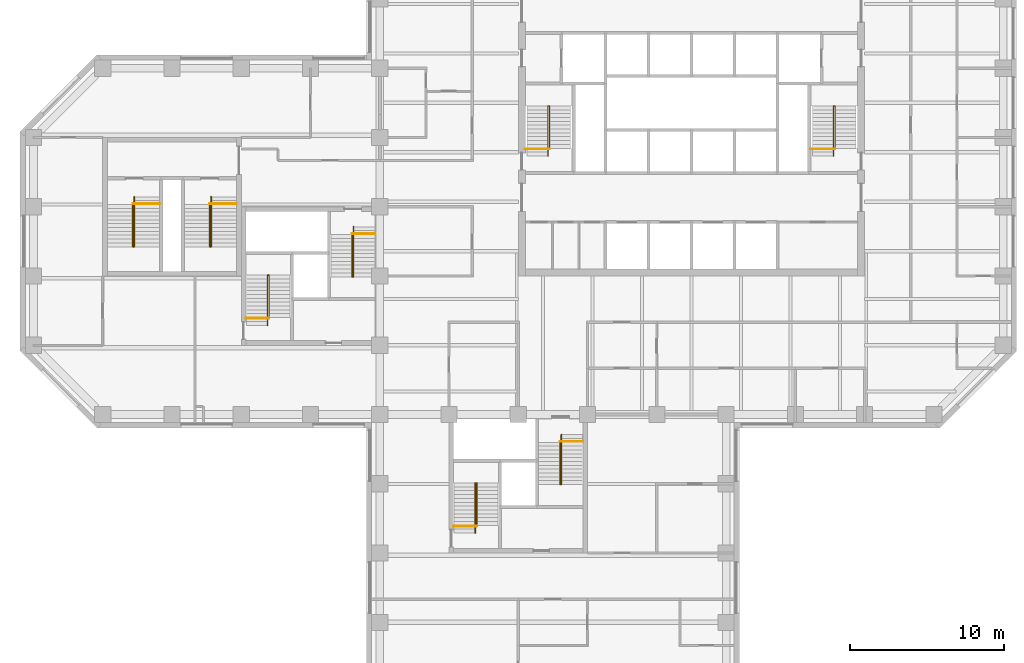
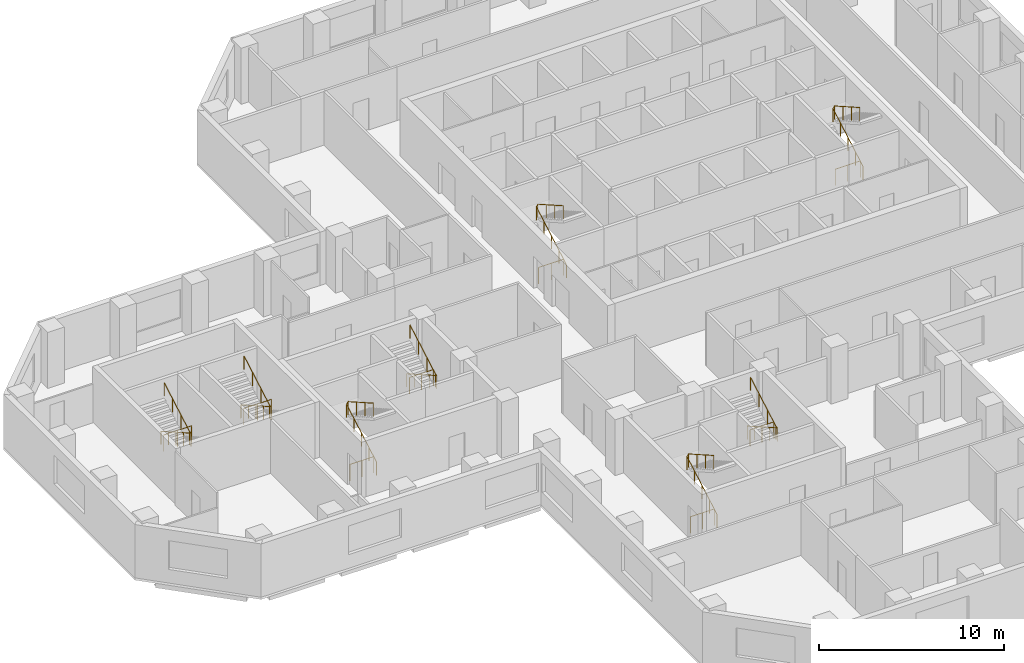
# One storey, part 11 of 11: 16 railings.
"""IFC4 building model written with IfcOpenShell, lengths in metres."""

from ifc_helpers import new_model, si_unit, direction, frame, origin, origin_2d, place, context, subcontext, project, spatial, circle, extrude, material, type_object, element, save


model = new_model("IFC4")

# Units and contexts
model_context = context("Model", 3, precision=1e-05, world=origin(), true_north=direction((0.0, 1.0)))
body_context = subcontext(model_context, "Body", "Model", "MODEL_VIEW")
ifc_project = project(units=[si_unit("LENGTHUNIT", "METRE"), si_unit("AREAUNIT", "SQUARE_METRE"), si_unit("VOLUMEUNIT", "CUBIC_METRE"), si_unit("PLANEANGLEUNIT", "RADIAN"), si_unit("MASSUNIT", "GRAM", prefix="KILO")], contexts=[model_context])

# Site, building, storey
site_placement = place(None, origin())
site = spatial("IfcSite", under=ifc_project, at=site_placement, CompositionType="ELEMENT")
building_placement = place(site_placement, origin())
building = spatial("IfcBuilding", under=site, at=building_placement, Name="Quoin Convention Tower", CompositionType="ELEMENT")
storey_placement = place(building_placement, frame((0.0, 0.0, 104.800048828125)))
storey = spatial("IfcBuildingStorey", under=building, at=storey_placement, Name="L27", CompositionType="ELEMENT", Elevation=104.800048828125)

# Railings
ifc_material = material(Name="Stainless steel", Category="steel")
railing_type_1 = type_object("IfcRailingType", Name="Stair handrail 900", PredefinedType="HANDRAIL", material=ifc_material)
railing_1_placement = place(storey_placement, frame((46.929931640625, 57.300048828125, 0.142333984375)))
element("IfcRailing", 1, at=railing_1_placement, inside=storey, type_object=railing_type_1, Name="SD1 handrail 1", PredefinedType="HANDRAIL", context=body_context, shape_type="SweptSolid", body=[
    extrude(circle(Radius=0.02392578125, at=origin_2d()), frame((0.0, 0.0, 0.8759765625), z_axis=(0.0, 0.869081571614, 0.494668800189), x_axis=(-1.0, 0.0, 0.0)), (0.0, 0.0, 1.0), 3.739501953125),
    extrude(circle(Radius=0.02392578125, at=origin_2d()), frame((0.0, 3.25, 2.7255859375), z_axis=(0.53481069233, 0.0, 0.844971906852), x_axis=(0.0, 1.0, 0.0)), (0.0, 0.0, 1.0), 0.16845703125),
    extrude(circle(Radius=0.02392578125, at=origin_2d()), frame((0.090087890625, 3.25, 2.8681640625), z_axis=(0.0, -0.869058607571, 0.494709143443), x_axis=(1.0, 0.0, 0.0)), (0.0, 0.0, 1.0), 3.164306640625),
    extrude(circle(Radius=0.02099609375, at=origin_2d()), origin(), (0.0, 0.0, 1.0), 0.851806640625),
    extrude(circle(Radius=0.02099609375, at=origin_2d()), frame((0.0, 0.8125, 0.46240234375)), (0.0, 0.0, 1.0), 0.851806640625),
    extrude(circle(Radius=0.02099609375, at=origin_2d()), frame((0.0, 1.625, 0.9248046875)), (0.0, 0.0, 1.0), 0.851806640625),
    extrude(circle(Radius=0.02099609375, at=origin_2d()), frame((0.0, 2.4375, 1.387451171875)), (0.0, 0.0, 1.0), 0.851806640625),
    extrude(circle(Radius=0.02099609375, at=origin_2d()), frame((0.0, 3.25, 1.849853515625)), (0.0, 0.0, 1.0), 0.851806640625),
    extrude(circle(Radius=0.02099609375, at=origin_2d()), frame((0.090087890625, 3.25, 1.9921875)), (0.0, 0.0, 1.0), 0.851806640625),
    extrude(circle(Radius=0.02099609375, at=origin_2d()), frame((0.090087890625, 2.333251953125, 2.513916015625)), (0.0, 0.0, 1.0), 0.851806640625),
    extrude(circle(Radius=0.02099609375, at=origin_2d()), frame((0.090087890625, 1.416748046875, 3.035888671875)), (0.0, 0.0, 1.0), 0.851806640625),
    extrude(circle(Radius=0.02099609375, at=origin_2d()), frame((0.090087890625, 0.5, 3.5576171875)), (0.0, 0.0, 1.0), 0.851806640625),
])
railing_2_placement = place(storey_placement, frame((65.47998046875, 57.300048828125, 0.142333984375)))
element("IfcRailing", 2, at=railing_2_placement, inside=storey, type_object=railing_type_1, Name="SD2 handrail 1", PredefinedType="HANDRAIL", context=body_context, shape_type="SweptSolid", body=[
    extrude(circle(Radius=0.02392578125, at=origin_2d()), frame((0.0, 0.0, 0.8759765625), z_axis=(0.0, 0.869081571614, 0.494668800189), x_axis=(-1.0, 0.0, 0.0)), (0.0, 0.0, 1.0), 3.739501953125),
    extrude(circle(Radius=0.02392578125, at=origin_2d()), frame((0.0, 3.25, 2.7255859375), z_axis=(0.53481069233, 0.0, 0.844971906852), x_axis=(0.0, 1.0, 0.0)), (0.0, 0.0, 1.0), 0.16845703125),
    extrude(circle(Radius=0.02392578125, at=origin_2d()), frame((0.090087890625, 3.25, 2.8681640625), z_axis=(0.0, -0.869058607571, 0.494709143443), x_axis=(1.0, 0.0, 0.0)), (0.0, 0.0, 1.0), 3.164306640625),
    extrude(circle(Radius=0.02099609375, at=origin_2d()), origin(), (0.0, 0.0, 1.0), 0.851806640625),
    extrude(circle(Radius=0.02099609375, at=origin_2d()), frame((0.0, 0.8125, 0.46240234375)), (0.0, 0.0, 1.0), 0.851806640625),
    extrude(circle(Radius=0.02099609375, at=origin_2d()), frame((0.0, 1.625, 0.9248046875)), (0.0, 0.0, 1.0), 0.851806640625),
    extrude(circle(Radius=0.02099609375, at=origin_2d()), frame((0.0, 2.4375, 1.387451171875)), (0.0, 0.0, 1.0), 0.851806640625),
    extrude(circle(Radius=0.02099609375, at=origin_2d()), frame((0.0, 3.25, 1.849853515625)), (0.0, 0.0, 1.0), 0.851806640625),
    extrude(circle(Radius=0.02099609375, at=origin_2d()), frame((0.090087890625, 3.25, 1.9921875)), (0.0, 0.0, 1.0), 0.851806640625),
    extrude(circle(Radius=0.02099609375, at=origin_2d()), frame((0.090087890625, 2.333251953125, 2.513916015625)), (0.0, 0.0, 1.0), 0.851806640625),
    extrude(circle(Radius=0.02099609375, at=origin_2d()), frame((0.090087890625, 1.416748046875, 3.035888671875)), (0.0, 0.0, 1.0), 0.851806640625),
    extrude(circle(Radius=0.02099609375, at=origin_2d()), frame((0.090087890625, 0.5, 3.5576171875)), (0.0, 0.0, 1.0), 0.851806640625),
])
railing_3_placement = place(storey_placement, frame((28.705078125, 46.300048828125, 0.142333984375)))
element("IfcRailing", 3, at=railing_3_placement, inside=storey, type_object=railing_type_1, Name="SD3 handrail 1", PredefinedType="HANDRAIL", context=body_context, shape_type="SweptSolid", body=[
    extrude(circle(Radius=0.02392578125, at=origin_2d()), frame((0.0, 0.0, 0.8759765625), z_axis=(0.0, 0.869081571614, 0.494668800189), x_axis=(-1.0, 0.0, 0.0)), (0.0, 0.0, 1.0), 3.739501953125),
    extrude(circle(Radius=0.02392578125, at=origin_2d()), frame((0.0, 3.25, 2.7255859375), z_axis=(0.533774684331, 0.0, 0.845626741753), x_axis=(0.0, 1.0, 0.0)), (0.0, 0.0, 1.0), 0.168212890625),
    extrude(circle(Radius=0.02392578125, at=origin_2d()), frame((0.08984375, 3.25, 2.8681640625), z_axis=(0.0, -0.869058607571, 0.494709143443), x_axis=(1.0, 0.0, 0.0)), (0.0, 0.0, 1.0), 3.164306640625),
    extrude(circle(Radius=0.02099609375, at=origin_2d()), origin(), (0.0, 0.0, 1.0), 0.851806640625),
    extrude(circle(Radius=0.02099609375, at=origin_2d()), frame((0.0, 0.8125, 0.46240234375)), (0.0, 0.0, 1.0), 0.851806640625),
    extrude(circle(Radius=0.02099609375, at=origin_2d()), frame((0.0, 1.625, 0.9248046875)), (0.0, 0.0, 1.0), 0.851806640625),
    extrude(circle(Radius=0.02099609375, at=origin_2d()), frame((0.0, 2.4375, 1.387451171875)), (0.0, 0.0, 1.0), 0.851806640625),
    extrude(circle(Radius=0.02099609375, at=origin_2d()), frame((0.0, 3.25, 1.849853515625)), (0.0, 0.0, 1.0), 0.851806640625),
    extrude(circle(Radius=0.02099609375, at=origin_2d()), frame((0.08984375, 3.25, 1.9921875)), (0.0, 0.0, 1.0), 0.851806640625),
    extrude(circle(Radius=0.02099609375, at=origin_2d()), frame((0.08984375, 2.333251953125, 2.513916015625)), (0.0, 0.0, 1.0), 0.851806640625),
    extrude(circle(Radius=0.02099609375, at=origin_2d()), frame((0.08984375, 1.416748046875, 3.035888671875)), (0.0, 0.0, 1.0), 0.851806640625),
    extrude(circle(Radius=0.02099609375, at=origin_2d()), frame((0.08984375, 0.5, 3.5576171875)), (0.0, 0.0, 1.0), 0.851806640625),
])
railing_4_placement = place(storey_placement, frame((34.294921875, 52.699951171875, 0.142333984375)))
element("IfcRailing", 4, at=railing_4_placement, inside=storey, type_object=railing_type_1, Name="SD4 handrail 1", PredefinedType="HANDRAIL", context=body_context, shape_type="SweptSolid", body=[
    extrude(circle(Radius=0.02392578125, at=origin_2d()), frame((0.0, 0.0, 0.8759765625), z_axis=(0.0, -0.869081571614, 0.494668800189), x_axis=(1.0, 0.0, 0.0)), (0.0, 0.0, 1.0), 3.739501953125),
    extrude(circle(Radius=0.02392578125, at=origin_2d()), frame((0.0, -3.25, 2.7255859375), z_axis=(-0.533774684331, 0.0, 0.845626741753), x_axis=(0.0, -1.0, 0.0)), (0.0, 0.0, 1.0), 0.168212890625),
    extrude(circle(Radius=0.02392578125, at=origin_2d()), frame((-0.08984375, -3.25, 2.8681640625), z_axis=(0.0, 0.869058607571, 0.494709143443), x_axis=(-1.0, 0.0, 0.0)), (0.0, 0.0, 1.0), 3.164306640625),
    extrude(circle(Radius=0.02099609375, at=origin_2d()), origin(), (0.0, 0.0, 1.0), 0.851806640625),
    extrude(circle(Radius=0.02099609375, at=origin_2d()), frame((0.0, -0.8125, 0.46240234375)), (0.0, 0.0, 1.0), 0.851806640625),
    extrude(circle(Radius=0.02099609375, at=origin_2d()), frame((0.0, -1.625, 0.9248046875)), (0.0, 0.0, 1.0), 0.851806640625),
    extrude(circle(Radius=0.02099609375, at=origin_2d()), frame((0.0, -2.4375, 1.387451171875)), (0.0, 0.0, 1.0), 0.851806640625),
    extrude(circle(Radius=0.02099609375, at=origin_2d()), frame((0.0, -3.25, 1.849853515625)), (0.0, 0.0, 1.0), 0.851806640625),
    extrude(circle(Radius=0.02099609375, at=origin_2d()), frame((-0.08984375, -3.25, 1.9921875)), (0.0, 0.0, 1.0), 0.851806640625),
    extrude(circle(Radius=0.02099609375, at=origin_2d()), frame((-0.08984375, -2.333251953125, 2.513916015625)), (0.0, 0.0, 1.0), 0.851806640625),
    extrude(circle(Radius=0.02099609375, at=origin_2d()), frame((-0.08984375, -1.416748046875, 3.035888671875)), (0.0, 0.0, 1.0), 0.851806640625),
    extrude(circle(Radius=0.02099609375, at=origin_2d()), frame((-0.08984375, -0.5, 3.5576171875)), (0.0, 0.0, 1.0), 0.851806640625),
])
railing_5_placement = place(storey_placement, frame((42.205078125, 32.800048828125, 0.142333984375)))
element("IfcRailing", 5, at=railing_5_placement, inside=storey, type_object=railing_type_1, Name="SD5 handrail 1", PredefinedType="HANDRAIL", context=body_context, shape_type="SweptSolid", body=[
    extrude(circle(Radius=0.02392578125, at=origin_2d()), frame((0.0, 0.0, 0.8759765625), z_axis=(0.0, 0.869081571614, 0.494668800189), x_axis=(-1.0, 0.0, 0.0)), (0.0, 0.0, 1.0), 3.739501953125),
    extrude(circle(Radius=0.02392578125, at=origin_2d()), frame((0.0, 3.25, 2.7255859375), z_axis=(0.533774684331, 0.0, 0.845626741753), x_axis=(0.0, 1.0, 0.0)), (0.0, 0.0, 1.0), 0.168212890625),
    extrude(circle(Radius=0.02392578125, at=origin_2d()), frame((0.08984375, 3.25, 2.8681640625), z_axis=(0.0, -0.869058607571, 0.494709143443), x_axis=(1.0, 0.0, 0.0)), (0.0, 0.0, 1.0), 3.164306640625),
    extrude(circle(Radius=0.02099609375, at=origin_2d()), origin(), (0.0, 0.0, 1.0), 0.851806640625),
    extrude(circle(Radius=0.02099609375, at=origin_2d()), frame((0.0, 0.8125, 0.46240234375)), (0.0, 0.0, 1.0), 0.851806640625),
    extrude(circle(Radius=0.02099609375, at=origin_2d()), frame((0.0, 1.625, 0.9248046875)), (0.0, 0.0, 1.0), 0.851806640625),
    extrude(circle(Radius=0.02099609375, at=origin_2d()), frame((0.0, 2.4375, 1.387451171875)), (0.0, 0.0, 1.0), 0.851806640625),
    extrude(circle(Radius=0.02099609375, at=origin_2d()), frame((0.0, 3.25, 1.849853515625)), (0.0, 0.0, 1.0), 0.851806640625),
    extrude(circle(Radius=0.02099609375, at=origin_2d()), frame((0.08984375, 3.25, 1.9921875)), (0.0, 0.0, 1.0), 0.851806640625),
    extrude(circle(Radius=0.02099609375, at=origin_2d()), frame((0.08984375, 2.333251953125, 2.513916015625)), (0.0, 0.0, 1.0), 0.851806640625),
    extrude(circle(Radius=0.02099609375, at=origin_2d()), frame((0.08984375, 1.416748046875, 3.035888671875)), (0.0, 0.0, 1.0), 0.851806640625),
    extrude(circle(Radius=0.02099609375, at=origin_2d()), frame((0.08984375, 0.5, 3.5576171875)), (0.0, 0.0, 1.0), 0.851806640625),
])
railing_6_placement = place(storey_placement, frame((47.794921875, 39.199951171875, 0.142333984375)))
element("IfcRailing", 6, at=railing_6_placement, inside=storey, type_object=railing_type_1, Name="SD6 handrail 1", PredefinedType="HANDRAIL", context=body_context, shape_type="SweptSolid", body=[
    extrude(circle(Radius=0.02392578125, at=origin_2d()), frame((0.0, 0.0, 0.8759765625), z_axis=(0.0, -0.869081571614, 0.494668800189), x_axis=(1.0, 0.0, 0.0)), (0.0, 0.0, 1.0), 3.739501953125),
    extrude(circle(Radius=0.02392578125, at=origin_2d()), frame((0.0, -3.25, 2.7255859375), z_axis=(-0.533774684331, 0.0, 0.845626741753), x_axis=(0.0, -1.0, 0.0)), (0.0, 0.0, 1.0), 0.168212890625),
    extrude(circle(Radius=0.02392578125, at=origin_2d()), frame((-0.08984375, -3.25, 2.8681640625), z_axis=(0.0, 0.869058607571, 0.494709143443), x_axis=(-1.0, 0.0, 0.0)), (0.0, 0.0, 1.0), 3.164306640625),
    extrude(circle(Radius=0.02099609375, at=origin_2d()), origin(), (0.0, 0.0, 1.0), 0.851806640625),
    extrude(circle(Radius=0.02099609375, at=origin_2d()), frame((0.0, -0.8125, 0.46240234375)), (0.0, 0.0, 1.0), 0.851806640625),
    extrude(circle(Radius=0.02099609375, at=origin_2d()), frame((0.0, -1.625, 0.9248046875)), (0.0, 0.0, 1.0), 0.851806640625),
    extrude(circle(Radius=0.02099609375, at=origin_2d()), frame((0.0, -2.4375, 1.387451171875)), (0.0, 0.0, 1.0), 0.851806640625),
    extrude(circle(Radius=0.02099609375, at=origin_2d()), frame((0.0, -3.25, 1.849853515625)), (0.0, 0.0, 1.0), 0.851806640625),
    extrude(circle(Radius=0.02099609375, at=origin_2d()), frame((-0.08984375, -3.25, 1.9921875)), (0.0, 0.0, 1.0), 0.851806640625),
    extrude(circle(Radius=0.02099609375, at=origin_2d()), frame((-0.08984375, -2.333251953125, 2.513916015625)), (0.0, 0.0, 1.0), 0.851806640625),
    extrude(circle(Radius=0.02099609375, at=origin_2d()), frame((-0.08984375, -1.416748046875, 3.035888671875)), (0.0, 0.0, 1.0), 0.851806640625),
    extrude(circle(Radius=0.02099609375, at=origin_2d()), frame((-0.08984375, -0.5, 3.5576171875)), (0.0, 0.0, 1.0), 0.851806640625),
])
railing_7_placement = place(storey_placement, frame((20.044921875, 54.64990234375, 0.142333984375)))
element("IfcRailing", 7, at=railing_7_placement, inside=storey, type_object=railing_type_1, Name="SD11 handrail 1", PredefinedType="HANDRAIL", context=body_context, shape_type="SweptSolid", body=[
    extrude(circle(Radius=0.02392578125, at=origin_2d()), frame((0.0, 0.0, 0.8759765625), z_axis=(0.0, -0.869081571614, 0.494668800189), x_axis=(1.0, 0.0, 0.0)), (0.0, 0.0, 1.0), 3.739501953125),
    extrude(circle(Radius=0.02392578125, at=origin_2d()), frame((0.0, -3.25, 2.7255859375), z_axis=(-0.533774684331, 0.0, 0.845626741753), x_axis=(0.0, -1.0, 0.0)), (0.0, 0.0, 1.0), 0.168212890625),
    extrude(circle(Radius=0.02392578125, at=origin_2d()), frame((-0.08984375, -3.25, 2.8681640625), z_axis=(0.0, 0.869058607571, 0.494709143443), x_axis=(-1.0, 0.0, 0.0)), (0.0, 0.0, 1.0), 3.164306640625),
    extrude(circle(Radius=0.02099609375, at=origin_2d()), origin(), (0.0, 0.0, 1.0), 0.851806640625),
    extrude(circle(Radius=0.02099609375, at=origin_2d()), frame((0.0, -0.8125, 0.46240234375)), (0.0, 0.0, 1.0), 0.851806640625),
    extrude(circle(Radius=0.02099609375, at=origin_2d()), frame((0.0, -1.625, 0.9248046875)), (0.0, 0.0, 1.0), 0.851806640625),
    extrude(circle(Radius=0.02099609375, at=origin_2d()), frame((0.0, -2.4375, 1.387451171875)), (0.0, 0.0, 1.0), 0.851806640625),
    extrude(circle(Radius=0.02099609375, at=origin_2d()), frame((0.0, -3.25, 1.849853515625)), (0.0, 0.0, 1.0), 0.851806640625),
    extrude(circle(Radius=0.02099609375, at=origin_2d()), frame((-0.08984375, -3.25, 1.9921875)), (0.0, 0.0, 1.0), 0.851806640625),
    extrude(circle(Radius=0.02099609375, at=origin_2d()), frame((-0.08984375, -2.333251953125, 2.513916015625)), (0.0, 0.0, 1.0), 0.851806640625),
    extrude(circle(Radius=0.02099609375, at=origin_2d()), frame((-0.08984375, -1.416748046875, 3.035888671875)), (0.0, 0.0, 1.0), 0.851806640625),
    extrude(circle(Radius=0.02099609375, at=origin_2d()), frame((-0.08984375, -0.5, 3.5576171875)), (0.0, 0.0, 1.0), 0.851806640625),
])
railing_8_placement = place(storey_placement, frame((25.044921875, 54.64990234375, 0.142333984375)))
element("IfcRailing", 8, at=railing_8_placement, inside=storey, type_object=railing_type_1, Name="SD12 handrail 1", PredefinedType="HANDRAIL", context=body_context, shape_type="SweptSolid", body=[
    extrude(circle(Radius=0.02392578125, at=origin_2d()), frame((0.0, 0.0, 0.8759765625), z_axis=(0.0, -0.869081571614, 0.494668800189), x_axis=(1.0, 0.0, 0.0)), (0.0, 0.0, 1.0), 3.739501953125),
    extrude(circle(Radius=0.02392578125, at=origin_2d()), frame((0.0, -3.25, 2.7255859375), z_axis=(-0.533774684331, 0.0, 0.845626741753), x_axis=(0.0, -1.0, 0.0)), (0.0, 0.0, 1.0), 0.168212890625),
    extrude(circle(Radius=0.02392578125, at=origin_2d()), frame((-0.08984375, -3.25, 2.8681640625), z_axis=(0.0, 0.869058607571, 0.494709143443), x_axis=(-1.0, 0.0, 0.0)), (0.0, 0.0, 1.0), 3.164306640625),
    extrude(circle(Radius=0.02099609375, at=origin_2d()), origin(), (0.0, 0.0, 1.0), 0.851806640625),
    extrude(circle(Radius=0.02099609375, at=origin_2d()), frame((0.0, -0.8125, 0.46240234375)), (0.0, 0.0, 1.0), 0.851806640625),
    extrude(circle(Radius=0.02099609375, at=origin_2d()), frame((0.0, -1.625, 0.9248046875)), (0.0, 0.0, 1.0), 0.851806640625),
    extrude(circle(Radius=0.02099609375, at=origin_2d()), frame((0.0, -2.4375, 1.387451171875)), (0.0, 0.0, 1.0), 0.851806640625),
    extrude(circle(Radius=0.02099609375, at=origin_2d()), frame((0.0, -3.25, 1.849853515625)), (0.0, 0.0, 1.0), 0.851806640625),
    extrude(circle(Radius=0.02099609375, at=origin_2d()), frame((-0.08984375, -3.25, 1.9921875)), (0.0, 0.0, 1.0), 0.851806640625),
    extrude(circle(Radius=0.02099609375, at=origin_2d()), frame((-0.08984375, -2.333251953125, 2.513916015625)), (0.0, 0.0, 1.0), 0.851806640625),
    extrude(circle(Radius=0.02099609375, at=origin_2d()), frame((-0.08984375, -1.416748046875, 3.035888671875)), (0.0, 0.0, 1.0), 0.851806640625),
    extrude(circle(Radius=0.02099609375, at=origin_2d()), frame((-0.08984375, -0.5, 3.5576171875)), (0.0, 0.0, 1.0), 0.851806640625),
])
railing_type_2 = type_object("IfcRailingType", Name="Stair top guard 1100", PredefinedType="GUARDRAIL", material=ifc_material)
for number, where, name in (
    (9, (45.449951171875, 57.75, 0.0), "SD1 top guard"),
    (10, (64.0, 57.75, 0.0), "SD2 top guard"),
):
    element("IfcRailing", number, at=place(storey_placement, frame(where)), inside=storey, type_object=railing_type_2, Name=name, PredefinedType="GUARDRAIL", context=body_context, shape_type="SweptSolid", body=[
        extrude(circle(Radius=0.02392578125, at=origin_2d()), frame((0.0, 0.0, 1.076171875), z_axis=(1.0, 0.0, 0.0), x_axis=(0.0, 1.0, 0.0)), (0.0, 0.0, 1.0), 1.570068359375),
        extrude(circle(Radius=0.02099609375, at=origin_2d()), origin(), (0.0, 0.0, 1.0), 1.052001953125),
        extrude(circle(Radius=0.02099609375, at=origin_2d()), frame((0.78515625, 0.0, 0.0)), (0.0, 0.0, 1.0), 1.052001953125),
        extrude(circle(Radius=0.02099609375, at=origin_2d()), frame((1.570068359375, 0.0, 0.0)), (0.0, 0.0, 1.0), 1.052001953125),
    ])
railing_9_placement = place(storey_placement, frame((27.300048828125, 46.75, 0.0)))
element("IfcRailing", 11, at=railing_9_placement, inside=storey, type_object=railing_type_2, Name="SD3 top guard", PredefinedType="GUARDRAIL", context=body_context, shape_type="SweptSolid", body=[
    extrude(circle(Radius=0.02392578125, at=origin_2d()), frame((0.0, 0.0, 1.076171875), z_axis=(1.0, 0.0, 0.0), x_axis=(0.0, 1.0, 0.0)), (0.0, 0.0, 1.0), 1.494873046875),
    extrude(circle(Radius=0.02099609375, at=origin_2d()), origin(), (0.0, 0.0, 1.0), 1.052001953125),
    extrude(circle(Radius=0.02099609375, at=origin_2d()), frame((0.74755859375, 0.0, 0.0)), (0.0, 0.0, 1.0), 1.052001953125),
    extrude(circle(Radius=0.02099609375, at=origin_2d()), frame((1.494873046875, 0.0, 0.0)), (0.0, 0.0, 1.0), 1.052001953125),
])
railing_10_placement = place(storey_placement, frame((35.699951171875, 52.25, 0.0)))
element("IfcRailing", 12, at=railing_10_placement, inside=storey, type_object=railing_type_2, Name="SD4 top guard", PredefinedType="GUARDRAIL", context=body_context, shape_type="SweptSolid", body=[
    extrude(circle(Radius=0.02392578125, at=origin_2d()), frame((0.0, 0.0, 1.076171875), z_axis=(-1.0, 0.0, 0.0), x_axis=(0.0, -1.0, 0.0)), (0.0, 0.0, 1.0), 1.494873046875),
    extrude(circle(Radius=0.02099609375, at=origin_2d()), origin(), (0.0, 0.0, 1.0), 1.052001953125),
    extrude(circle(Radius=0.02099609375, at=origin_2d()), frame((-0.74755859375, 0.0, 0.0)), (0.0, 0.0, 1.0), 1.052001953125),
    extrude(circle(Radius=0.02099609375, at=origin_2d()), frame((-1.494873046875, 0.0, 0.0)), (0.0, 0.0, 1.0), 1.052001953125),
])
railing_11_placement = place(storey_placement, frame((40.800048828125, 33.25, 0.0)))
element("IfcRailing", 13, at=railing_11_placement, inside=storey, type_object=railing_type_2, Name="SD5 top guard", PredefinedType="GUARDRAIL", context=body_context, shape_type="SweptSolid", body=[
    extrude(circle(Radius=0.02392578125, at=origin_2d()), frame((0.0, 0.0, 1.076171875), z_axis=(1.0, 0.0, 0.0), x_axis=(0.0, 1.0, 0.0)), (0.0, 0.0, 1.0), 1.494873046875),
    extrude(circle(Radius=0.02099609375, at=origin_2d()), origin(), (0.0, 0.0, 1.0), 1.052001953125),
    extrude(circle(Radius=0.02099609375, at=origin_2d()), frame((0.74755859375, 0.0, 0.0)), (0.0, 0.0, 1.0), 1.052001953125),
    extrude(circle(Radius=0.02099609375, at=origin_2d()), frame((1.494873046875, 0.0, 0.0)), (0.0, 0.0, 1.0), 1.052001953125),
])
railing_12_placement = place(storey_placement, frame((49.199951171875, 38.75, 0.0)))
element("IfcRailing", 14, at=railing_12_placement, inside=storey, type_object=railing_type_2, Name="SD6 top guard", PredefinedType="GUARDRAIL", context=body_context, shape_type="SweptSolid", body=[
    extrude(circle(Radius=0.02392578125, at=origin_2d()), frame((0.0, 0.0, 1.076171875), z_axis=(-1.0, 0.0, 0.0), x_axis=(0.0, -1.0, 0.0)), (0.0, 0.0, 1.0), 1.494873046875),
    extrude(circle(Radius=0.02099609375, at=origin_2d()), origin(), (0.0, 0.0, 1.0), 1.052001953125),
    extrude(circle(Radius=0.02099609375, at=origin_2d()), frame((-0.74755859375, 0.0, 0.0)), (0.0, 0.0, 1.0), 1.052001953125),
    extrude(circle(Radius=0.02099609375, at=origin_2d()), frame((-1.494873046875, 0.0, 0.0)), (0.0, 0.0, 1.0), 1.052001953125),
])
for number, where, name in (
    (15, (21.699951171875, 54.199951171875, 0.0), "SD11 top guard"),
    (16, (26.699951171875, 54.199951171875, 0.0), "SD12 top guard"),
):
    element("IfcRailing", number, at=place(storey_placement, frame(where)), inside=storey, type_object=railing_type_2, Name=name, PredefinedType="GUARDRAIL", context=body_context, shape_type="SweptSolid", body=[
        extrude(circle(Radius=0.02392578125, at=origin_2d()), frame((0.0, 0.0, 1.076171875), z_axis=(-1.0, 0.0, 0.0), x_axis=(0.0, -1.0, 0.0)), (0.0, 0.0, 1.0), 1.744873046875),
        extrude(circle(Radius=0.02099609375, at=origin_2d()), origin(), (0.0, 0.0, 1.0), 1.052001953125),
        extrude(circle(Radius=0.02099609375, at=origin_2d()), frame((-0.87255859375, 0.0, 0.0)), (0.0, 0.0, 1.0), 1.052001953125),
        extrude(circle(Radius=0.02099609375, at=origin_2d()), frame((-1.744873046875, 0.0, 0.0)), (0.0, 0.0, 1.0), 1.052001953125),
    ])

save(model, "model.ifc")
